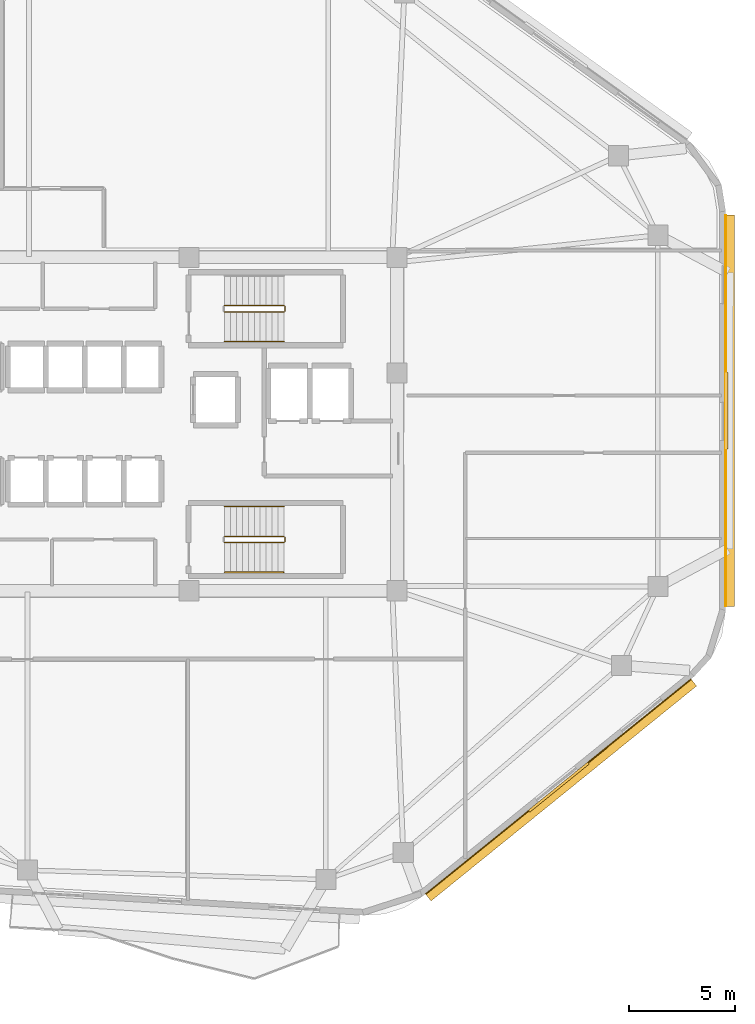
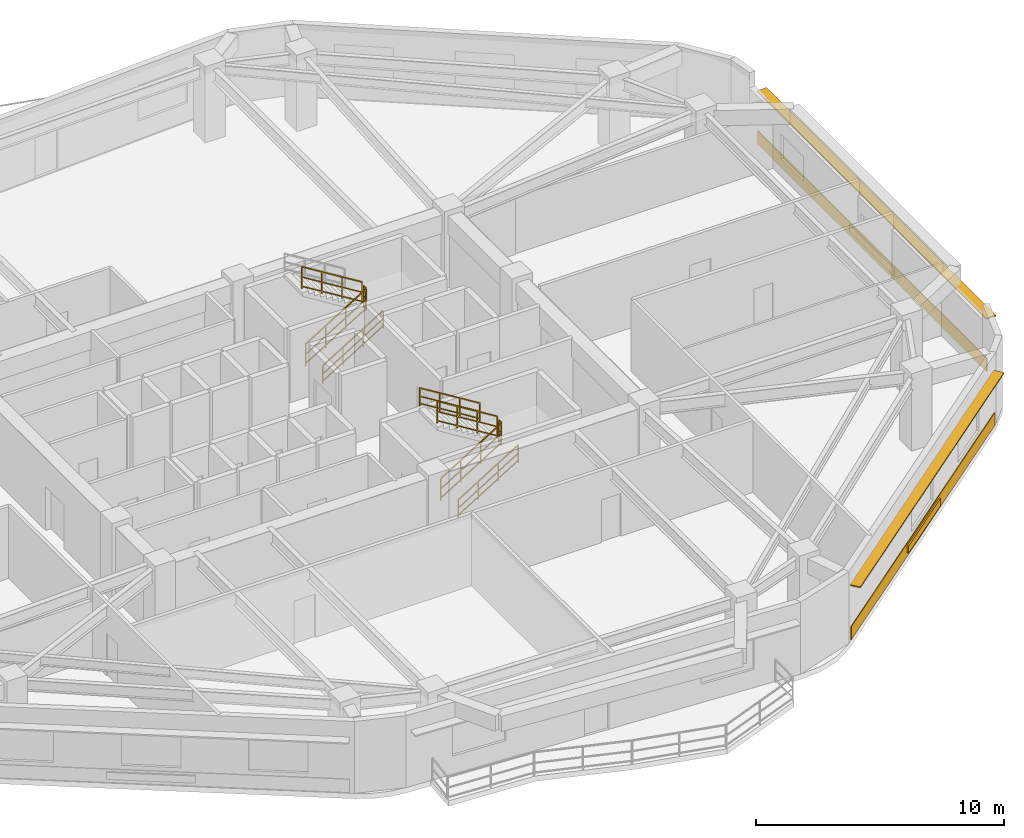
# One storey, part 8 of 9: 9 railings, 4 shading devices, 2 coverings.
"""IFC4 building model written with IfcOpenShell, lengths in metres."""

from ifc_helpers import new_model, si_unit, direction, frame, origin, origin_2d, place, context, subcontext, project, spatial, rectangle, extrude, material, layer, layer_set, type_object, element, save


model = new_model("IFC4")

# Units and contexts
model_context = context("Model", 3, precision=1e-05, world=origin(), true_north=direction((0.0, 1.0)))
body_context = subcontext(model_context, "Body", "Model", "MODEL_VIEW")
ifc_project = project(units=[si_unit("LENGTHUNIT", "METRE"), si_unit("AREAUNIT", "SQUARE_METRE"), si_unit("VOLUMEUNIT", "CUBIC_METRE"), si_unit("PLANEANGLEUNIT", "RADIAN"), si_unit("MASSUNIT", "GRAM", prefix="KILO")], contexts=[model_context])

# Site, building, storey
site_placement = place(None, origin())
site = spatial("IfcSite", under=ifc_project, at=site_placement, CompositionType="ELEMENT")
building_placement = place(site_placement, origin())
building = spatial("IfcBuilding", under=site, at=building_placement, Name="Zulverin Broadcast Headquarters", CompositionType="ELEMENT")
storey_placement = place(building_placement, frame((0.0, 0.0, 212.39990234375)))
storey = spatial("IfcBuildingStorey", under=building, at=storey_placement, Name="L54", CompositionType="ELEMENT", Elevation=212.39990234375)

# Coverings
ifc_material_1 = material(Name="Brushed pale-aluminium rainscreen cladding", Category="aluminium")
ifc_layer_1 = layer(ifc_material_1, 0.0400390625, Name="Brushed pale-aluminium rainscreen cladding", Category="aluminium")
ifc_layer_set_1 = layer_set([ifc_layer_1], Name="Brushed pale-aluminium rainscreen cladding")
covering_type = type_object("IfcCoveringType", Name="COV-CLAD-PALE", PredefinedType="CLADDING", material=ifc_layer_set_1)
covering_1_placement = place(storey_placement, frame((55.894775390625, 8.0703125, 0.05517578125), z_axis=(0.0, 0.0, 1.0), x_axis=(0.777274454694, 0.629161681987, 0.0)))
element("IfcCovering", 1, at=covering_1_placement, inside=storey, type_object=covering_type, Name="L54 Brushed Pale-Aluminium Spandrel Cladding 2", PredefinedType="CLADDING", context=body_context, shape_type="SweptSolid", body=[
    extrude(rectangle(XDim=16.139892578125, YDim=0.0400390625, at=origin_2d()), origin(), (0.0, 0.0, 1.0), 0.64990234375),
])
covering_2_placement = place(storey_placement, frame((63.81005859375, 25.828369140625, 0.05517578125), z_axis=(0.0, 0.0, 1.0), x_axis=(0.0, 1.0, 0.0)))
element("IfcCovering", 2, at=covering_2_placement, inside=storey, type_object=covering_type, Name="L54 Brushed Pale-Aluminium Spandrel Cladding 3", PredefinedType="CLADDING", context=body_context, shape_type="SweptSolid", body=[
    extrude(rectangle(XDim=18.475830078125, YDim=0.0400390625, at=origin_2d()), origin(), (0.0, 0.0, 1.0), 0.64990234375),
])

# Railings
ifc_material_2 = material(Name="Painted galvanized steel tubular guardrail S355JR", Category="steel")
railing_type_1 = type_object("IfcRailingType", Name="RL-ST-GUARD", PredefinedType="GUARDRAIL", material=ifc_material_2)
railing_1_placement = place(storey_placement, frame((40.1298828125, 30.5, 0.1728515625)))
element("IfcRailing", 3, at=railing_1_placement, inside=storey, type_object=railing_type_1, Name="L54 ST-1 stair guard 1", PredefinedType="GUARDRAIL", context=body_context, shape_type="SweptSolid", body=[
    extrude(rectangle(XDim=0.048095703125, YDim=0.048095703125, at=origin_2d()), frame((0.0, 0.0, 1.076171875), z_axis=(0.851089632645, 0.0, 0.525020415988), x_axis=(0.0, 1.0, 0.0)), (0.0, 0.0, 1.0), 3.2900390625),
    extrude(rectangle(XDim=0.0419921875, YDim=0.0419921875, at=origin_2d()), frame((0.0, 0.0, 0.572021484375), z_axis=(0.851089632645, 0.0, 0.525020415988), x_axis=(0.0, 1.0, 0.0)), (0.0, 0.0, 1.0), 3.2900390625),
    extrude(rectangle(XDim=0.0419921875, YDim=0.0419921875, at=origin_2d()), frame((0.0, 0.0, 0.1201171875), z_axis=(0.851089632645, 0.0, 0.525020415988), x_axis=(0.0, 1.0, 0.0)), (0.0, 0.0, 1.0), 3.2900390625),
    extrude(rectangle(XDim=0.0419921875, YDim=0.0419921875, at=origin_2d()), origin(), (0.0, 0.0, 1.0), 1.052001953125),
    extrude(rectangle(XDim=0.0419921875, YDim=0.0419921875, at=origin_2d()), frame((0.933349609375, 0.0, 0.57568359375)), (0.0, 0.0, 1.0), 1.052001953125),
    extrude(rectangle(XDim=0.0419921875, YDim=0.0419921875, at=origin_2d()), frame((1.86669921875, 0.0, 1.151611328125)), (0.0, 0.0, 1.0), 1.052001953125),
    extrude(rectangle(XDim=0.0419921875, YDim=0.0419921875, at=origin_2d()), frame((2.800048828125, 0.0, 1.727294921875)), (0.0, 0.0, 1.0), 1.052001953125),
])
railing_2_placement = place(storey_placement, frame((42.97998046875, 30.550048828125, 1.900146484375)))
element("IfcRailing", 4, at=railing_2_placement, inside=storey, type_object=railing_type_1, Name="L54 ST-1 stair guard 2", PredefinedType="GUARDRAIL", context=body_context, shape_type="SweptSolid", body=[
    extrude(rectangle(XDim=0.048095703125, YDim=0.048095703125, at=origin_2d()), frame((0.0, 0.0, 1.076171875), z_axis=(0.0, 1.0, 0.0), x_axis=(-1.0, 0.0, 0.0)), (0.0, 0.0, 1.0), 0.199951171875),
    extrude(rectangle(XDim=0.0419921875, YDim=0.0419921875, at=origin_2d()), frame((0.0, 0.0, 0.572021484375), z_axis=(0.0, 1.0, 0.0), x_axis=(-1.0, 0.0, 0.0)), (0.0, 0.0, 1.0), 0.199951171875),
    extrude(rectangle(XDim=0.0419921875, YDim=0.0419921875, at=origin_2d()), frame((0.0, 0.0, 0.1201171875), z_axis=(0.0, 1.0, 0.0), x_axis=(-1.0, 0.0, 0.0)), (0.0, 0.0, 1.0), 0.199951171875),
    extrude(rectangle(XDim=0.0419921875, YDim=0.0419921875, at=origin_2d()), origin(), (0.0, 0.0, 1.0), 1.052001953125),
    extrude(rectangle(XDim=0.0419921875, YDim=0.0419921875, at=origin_2d()), frame((0.0, 0.199951171875, 0.0)), (0.0, 0.0, 1.0), 1.052001953125),
])
railing_3_placement = place(storey_placement, frame((42.929931640625, 30.800048828125, 2.07275390625)))
element("IfcRailing", 5, at=railing_3_placement, inside=storey, type_object=railing_type_1, Name="L54 ST-1 stair guard 3", PredefinedType="GUARDRAIL", context=body_context, shape_type="SweptSolid", body=[
    extrude(rectangle(XDim=0.048095703125, YDim=0.048095703125, at=origin_2d()), frame((0.0, 0.0, 1.076171875), z_axis=(-0.851089632645, 0.0, 0.525020415988), x_axis=(0.0, -1.0, 0.0)), (0.0, 0.0, 1.0), 3.2900390625),
    extrude(rectangle(XDim=0.0419921875, YDim=0.0419921875, at=origin_2d()), frame((0.0, 0.0, 0.572021484375), z_axis=(-0.851089632645, 0.0, 0.525020415988), x_axis=(0.0, -1.0, 0.0)), (0.0, 0.0, 1.0), 3.2900390625),
    extrude(rectangle(XDim=0.0419921875, YDim=0.0419921875, at=origin_2d()), frame((0.0, 0.0, 0.1201171875), z_axis=(-0.851089632645, 0.0, 0.525020415988), x_axis=(0.0, -1.0, 0.0)), (0.0, 0.0, 1.0), 3.2900390625),
    extrude(rectangle(XDim=0.0419921875, YDim=0.0419921875, at=origin_2d()), origin(), (0.0, 0.0, 1.0), 1.052001953125),
    extrude(rectangle(XDim=0.0419921875, YDim=0.0419921875, at=origin_2d()), frame((-0.933349609375, 0.0, 0.57568359375)), (0.0, 0.0, 1.0), 1.052001953125),
    extrude(rectangle(XDim=0.0419921875, YDim=0.0419921875, at=origin_2d()), frame((-1.86669921875, 0.0, 1.151611328125)), (0.0, 0.0, 1.0), 1.052001953125),
    extrude(rectangle(XDim=0.0419921875, YDim=0.0419921875, at=origin_2d()), frame((-2.800048828125, 0.0, 1.727294921875)), (0.0, 0.0, 1.0), 1.052001953125),
])
railing_4_placement = place(storey_placement, frame((40.1298828125, 19.60009765625, 0.1728515625)))
element("IfcRailing", 6, at=railing_4_placement, inside=storey, type_object=railing_type_1, Name="L54 ST-2 stair guard 1", PredefinedType="GUARDRAIL", context=body_context, shape_type="SweptSolid", body=[
    extrude(rectangle(XDim=0.048095703125, YDim=0.048095703125, at=origin_2d()), frame((0.0, 0.0, 1.076171875), z_axis=(0.851089632645, 0.0, 0.525020415988), x_axis=(0.0, 1.0, 0.0)), (0.0, 0.0, 1.0), 3.2900390625),
    extrude(rectangle(XDim=0.0419921875, YDim=0.0419921875, at=origin_2d()), frame((0.0, 0.0, 0.572021484375), z_axis=(0.851089632645, 0.0, 0.525020415988), x_axis=(0.0, 1.0, 0.0)), (0.0, 0.0, 1.0), 3.2900390625),
    extrude(rectangle(XDim=0.0419921875, YDim=0.0419921875, at=origin_2d()), frame((0.0, 0.0, 0.1201171875), z_axis=(0.851089632645, 0.0, 0.525020415988), x_axis=(0.0, 1.0, 0.0)), (0.0, 0.0, 1.0), 3.2900390625),
    extrude(rectangle(XDim=0.0419921875, YDim=0.0419921875, at=origin_2d()), origin(), (0.0, 0.0, 1.0), 1.052001953125),
    extrude(rectangle(XDim=0.0419921875, YDim=0.0419921875, at=origin_2d()), frame((0.933349609375, 0.0, 0.57568359375)), (0.0, 0.0, 1.0), 1.052001953125),
    extrude(rectangle(XDim=0.0419921875, YDim=0.0419921875, at=origin_2d()), frame((1.86669921875, 0.0, 1.151611328125)), (0.0, 0.0, 1.0), 1.052001953125),
    extrude(rectangle(XDim=0.0419921875, YDim=0.0419921875, at=origin_2d()), frame((2.800048828125, 0.0, 1.727294921875)), (0.0, 0.0, 1.0), 1.052001953125),
])
railing_5_placement = place(storey_placement, frame((42.97998046875, 19.64990234375, 1.900146484375)))
element("IfcRailing", 7, at=railing_5_placement, inside=storey, type_object=railing_type_1, Name="L54 ST-2 stair guard 2", PredefinedType="GUARDRAIL", context=body_context, shape_type="SweptSolid", body=[
    extrude(rectangle(XDim=0.048095703125, YDim=0.048095703125, at=origin_2d()), frame((0.0, 0.0, 1.076171875), z_axis=(0.0, 1.0, 0.0), x_axis=(-1.0, 0.0, 0.0)), (0.0, 0.0, 1.0), 0.2001953125),
    extrude(rectangle(XDim=0.0419921875, YDim=0.0419921875, at=origin_2d()), frame((0.0, 0.0, 0.572021484375), z_axis=(0.0, 1.0, 0.0), x_axis=(-1.0, 0.0, 0.0)), (0.0, 0.0, 1.0), 0.2001953125),
    extrude(rectangle(XDim=0.0419921875, YDim=0.0419921875, at=origin_2d()), frame((0.0, 0.0, 0.1201171875), z_axis=(0.0, 1.0, 0.0), x_axis=(-1.0, 0.0, 0.0)), (0.0, 0.0, 1.0), 0.2001953125),
    extrude(rectangle(XDim=0.0419921875, YDim=0.0419921875, at=origin_2d()), origin(), (0.0, 0.0, 1.0), 1.052001953125),
    extrude(rectangle(XDim=0.0419921875, YDim=0.0419921875, at=origin_2d()), frame((0.0, 0.2001953125, 0.0)), (0.0, 0.0, 1.0), 1.052001953125),
])
railing_6_placement = place(storey_placement, frame((42.929931640625, 19.89990234375, 2.07275390625)))
element("IfcRailing", 8, at=railing_6_placement, inside=storey, type_object=railing_type_1, Name="L54 ST-2 stair guard 3", PredefinedType="GUARDRAIL", context=body_context, shape_type="SweptSolid", body=[
    extrude(rectangle(XDim=0.048095703125, YDim=0.048095703125, at=origin_2d()), frame((0.0, 0.0, 1.076171875), z_axis=(-0.851089632645, 0.0, 0.525020415988), x_axis=(0.0, -1.0, 0.0)), (0.0, 0.0, 1.0), 3.2900390625),
    extrude(rectangle(XDim=0.0419921875, YDim=0.0419921875, at=origin_2d()), frame((0.0, 0.0, 0.572021484375), z_axis=(-0.851089632645, 0.0, 0.525020415988), x_axis=(0.0, -1.0, 0.0)), (0.0, 0.0, 1.0), 3.2900390625),
    extrude(rectangle(XDim=0.0419921875, YDim=0.0419921875, at=origin_2d()), frame((0.0, 0.0, 0.1201171875), z_axis=(-0.851089632645, 0.0, 0.525020415988), x_axis=(0.0, -1.0, 0.0)), (0.0, 0.0, 1.0), 3.2900390625),
    extrude(rectangle(XDim=0.0419921875, YDim=0.0419921875, at=origin_2d()), origin(), (0.0, 0.0, 1.0), 1.052001953125),
    extrude(rectangle(XDim=0.0419921875, YDim=0.0419921875, at=origin_2d()), frame((-0.933349609375, 0.0, 0.57568359375)), (0.0, 0.0, 1.0), 1.052001953125),
    extrude(rectangle(XDim=0.0419921875, YDim=0.0419921875, at=origin_2d()), frame((-1.86669921875, 0.0, 1.151611328125)), (0.0, 0.0, 1.0), 1.052001953125),
    extrude(rectangle(XDim=0.0419921875, YDim=0.0419921875, at=origin_2d()), frame((-2.800048828125, 0.0, 1.727294921875)), (0.0, 0.0, 1.0), 1.052001953125),
])
ifc_material_3 = material(Name="Brushed stainless steel 48 mm handrail", Category="steel")
railing_type_2 = type_object("IfcRailingType", Name="RL-ST-HAND", PredefinedType="HANDRAIL", material=ifc_material_3)
for number, where, name in (
    (9, (40.1298828125, 29.10009765625, 0.1728515625), "L54 ST-1 stair handrail 1"),
    (10, (40.1298828125, 18.199951171875, 0.1728515625), "L54 ST-2 stair handrail 1"),
):
    element("IfcRailing", number, at=place(storey_placement, frame(where)), inside=storey, type_object=railing_type_2, Name=name, PredefinedType="HANDRAIL", context=body_context, shape_type="SweptSolid", body=[
        extrude(rectangle(XDim=0.048095703125, YDim=0.048095703125, at=origin_2d()), frame((0.0, 0.0, 0.8759765625), z_axis=(0.851089632645, 0.0, 0.525020415988), x_axis=(0.0, 1.0, 0.0)), (0.0, 0.0, 1.0), 3.2900390625),
        extrude(rectangle(XDim=0.0419921875, YDim=0.0419921875, at=origin_2d()), frame((0.0, 0.0, 0.468017578125), z_axis=(0.851089632645, 0.0, 0.525020415988), x_axis=(0.0, 1.0, 0.0)), (0.0, 0.0, 1.0), 3.2900390625),
        extrude(rectangle(XDim=0.0419921875, YDim=0.0419921875, at=origin_2d()), frame((0.0, 0.0, 0.1201171875), z_axis=(0.851089632645, 0.0, 0.525020415988), x_axis=(0.0, 1.0, 0.0)), (0.0, 0.0, 1.0), 3.2900390625),
        extrude(rectangle(XDim=0.0419921875, YDim=0.0419921875, at=origin_2d()), origin(), (0.0, 0.0, 1.0), 0.851806640625),
        extrude(rectangle(XDim=0.0419921875, YDim=0.0419921875, at=origin_2d()), frame((0.933349609375, 0.0, 0.57568359375)), (0.0, 0.0, 1.0), 0.851806640625),
        extrude(rectangle(XDim=0.0419921875, YDim=0.0419921875, at=origin_2d()), frame((1.86669921875, 0.0, 1.151611328125)), (0.0, 0.0, 1.0), 0.851806640625),
        extrude(rectangle(XDim=0.0419921875, YDim=0.0419921875, at=origin_2d()), frame((2.800048828125, 0.0, 1.727294921875)), (0.0, 0.0, 1.0), 0.851806640625),
    ])
railing_7_placement = place(storey_placement, frame((42.929931640625, 21.300048828125, 2.07275390625)))
element("IfcRailing", 11, at=railing_7_placement, inside=storey, type_object=railing_type_2, Name="L54 ST-2 stair handrail 2", PredefinedType="HANDRAIL", context=body_context, shape_type="SweptSolid", body=[
    extrude(rectangle(XDim=0.048095703125, YDim=0.048095703125, at=origin_2d()), frame((0.0, 0.0, 0.8759765625), z_axis=(-0.851089632645, 0.0, 0.525020415988), x_axis=(0.0, -1.0, 0.0)), (0.0, 0.0, 1.0), 3.2900390625),
    extrude(rectangle(XDim=0.0419921875, YDim=0.0419921875, at=origin_2d()), frame((0.0, 0.0, 0.468017578125), z_axis=(-0.851089632645, 0.0, 0.525020415988), x_axis=(0.0, -1.0, 0.0)), (0.0, 0.0, 1.0), 3.2900390625),
    extrude(rectangle(XDim=0.0419921875, YDim=0.0419921875, at=origin_2d()), frame((0.0, 0.0, 0.1201171875), z_axis=(-0.851089632645, 0.0, 0.525020415988), x_axis=(0.0, -1.0, 0.0)), (0.0, 0.0, 1.0), 3.2900390625),
    extrude(rectangle(XDim=0.0419921875, YDim=0.0419921875, at=origin_2d()), origin(), (0.0, 0.0, 1.0), 0.851806640625),
    extrude(rectangle(XDim=0.0419921875, YDim=0.0419921875, at=origin_2d()), frame((-0.933349609375, 0.0, 0.57568359375)), (0.0, 0.0, 1.0), 0.851806640625),
    extrude(rectangle(XDim=0.0419921875, YDim=0.0419921875, at=origin_2d()), frame((-1.86669921875, 0.0, 1.151611328125)), (0.0, 0.0, 1.0), 0.851806640625),
    extrude(rectangle(XDim=0.0419921875, YDim=0.0419921875, at=origin_2d()), frame((-2.800048828125, 0.0, 1.727294921875)), (0.0, 0.0, 1.0), 0.851806640625),
])

# Shading devices
ifc_material_4 = material(Name="Anodized pale-metal aluminium acoustic louvre", Category="aluminium")
shading_device_type_1 = type_object("IfcShadingDeviceType", Name="SHD-LOUVRE-350", PredefinedType="USERDEFINED", material=ifc_material_4)
for number, where, z_axis, x_axis, name in (
    (12, (55.913818359375, 8.047119140625, 0.2451171875), (0.0, 0.0, 1.0), (0.777274454694, 0.629161681987, 0.0), "L54 Spandrel Intake Louvre 2"),
    (13, (63.840087890625, 25.828369140625, 0.2451171875), (0.0, 0.0, 1.0), (0.0, 1.0, 0.0), "L54 Spandrel Intake Louvre 3"),
):
    element("IfcShadingDevice", number, at=place(storey_placement, frame(where, z_axis=z_axis, x_axis=x_axis)), inside=storey, type_object=shading_device_type_1, Name=name, ObjectType="LOUVRE", PredefinedType="USERDEFINED", context=body_context, shape_type="SweptSolid", body=[
        extrude(rectangle(XDim=3.60009765625, YDim=0.1201171875, at=origin_2d()), origin(), (0.0, 0.0, 1.0), 0.35009765625),
    ])
ifc_material_5 = material(Name="Anodized pale-metal aluminium sunshade", Category="aluminium")
ifc_layer_2 = layer(ifc_material_5, 0.06005859375, Name="Anodized pale-metal aluminium sunshade", Category="aluminium")
ifc_layer_set_2 = layer_set([ifc_layer_2], Name="Anodized pale-metal aluminium sunshade")
shading_device_type_2 = type_object("IfcShadingDeviceType", Name="SS-01_PALE_METAL_ALUMINIUM_SUNSHADE", PredefinedType="USERDEFINED", material=ifc_layer_set_2)
shading_device_1_placement = place(storey_placement, frame((56.014404296875, 7.922607421875, 2.7099609375), z_axis=(0.0, 0.0, 1.0), x_axis=(0.777274454694, 0.629161681987, 0.0)))
element("IfcShadingDevice", 14, at=shading_device_1_placement, inside=storey, type_object=shading_device_type_2, Name="L54 Horizontal Pale-Metal Sunshade Band 2", ObjectType="SUNSHADE", PredefinedType="USERDEFINED", context=body_context, shape_type="SweptSolid", body=[
    extrude(rectangle(XDim=16.139892578125, YDim=0.449951171875, at=origin_2d()), origin(), (0.0, 0.0, 1.0), 0.06005859375),
])
shading_device_2_placement = place(storey_placement, frame((64.0, 25.828369140625, 2.6201171875), z_axis=(0.0, 0.0, 1.0), x_axis=(0.0, 1.0, 0.0)))
element("IfcShadingDevice", 15, at=shading_device_2_placement, inside=storey, type_object=shading_device_type_2, Name="L54 Horizontal Pale-Metal Sunshade Band 3", ObjectType="SUNSHADE", PredefinedType="USERDEFINED", context=body_context, shape_type="SweptSolid", body=[
    extrude(rectangle(XDim=18.475830078125, YDim=0.449951171875, at=origin_2d()), origin(), (0.0, 0.0, 1.0), 0.06005859375),
])

save(model, "model.ifc")
